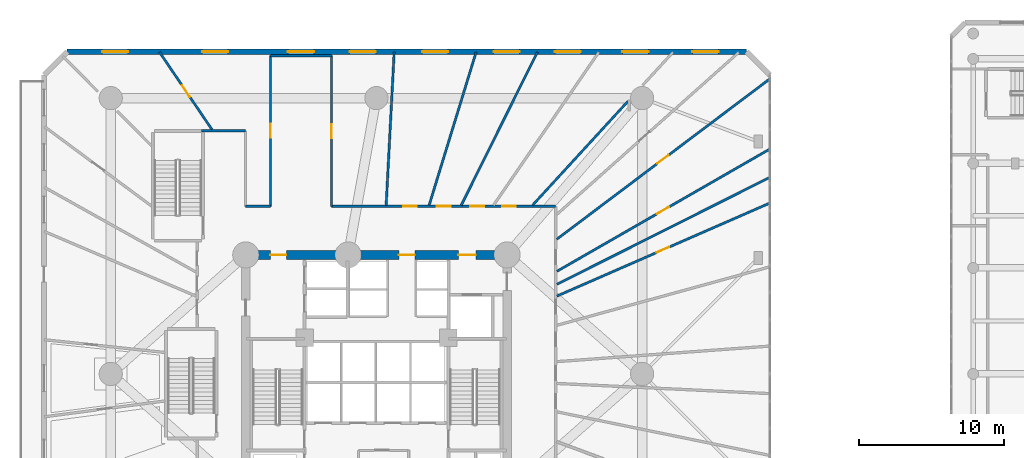
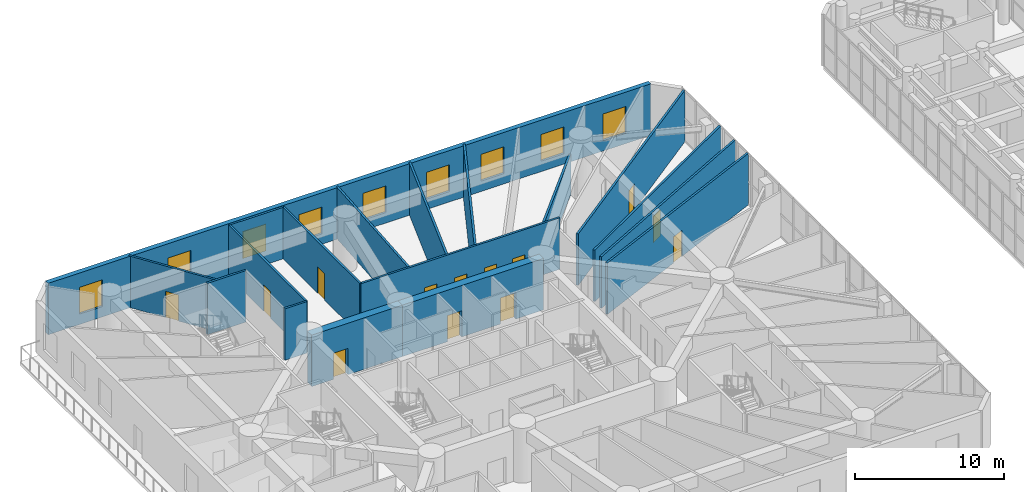
# One storey, part 16 of 24: 18 walls, 13 doors, 9 windows, 22 openings.
"""IFC4 building model written with IfcOpenShell, lengths in metres."""

import ifcopenshell
import ifcopenshell.guid

model = None  # the IFC model being written
_history = None  # IfcOwnerHistory: only IFC2X3 demands one
_inside = {}  # id of a spatial element -> (the spatial element, [elements in it])
_under = {}  # id of a project, library or spatial element -> (it, [spatial elements below it])
_declared = {}  # id of a project -> (the project, [libraries it declares])
_typed = {}  # id of a type object -> (the type object, [elements of that type])
_made_of = {}  # id of a material, layer set ... -> (it, [elements and type objects made of it])


def new_model(schema):
    """Start an empty IFC model of exactly this schema.

    Asked for "IFC4X3", IfcOpenShell would pick the latest addendum, in which some entities
    have other attributes; the version numbers below select the first issue.
    IFC2X3 requires an IfcOwnerHistory on every rooted entity: one is made here for all.
    """
    global model, _history
    if schema == "IFC4X3":
        model = ifcopenshell.file(schema_version=(4, 3, 0, 0))
    else:
        model = ifcopenshell.file(schema=schema)
    _inside.clear()
    _under.clear()
    _declared.clear()
    _typed.clear()
    _made_of.clear()
    _history = None
    if model.schema == "IFC2X3":
        org = make("IfcOrganization", Name="unknown")
        user = make(
            "IfcPersonAndOrganization",
            ThePerson=make("IfcPerson", FamilyName="unknown"),
            TheOrganization=org,
        )
        app = make(
            "IfcApplication",
            ApplicationDeveloper=org,
            Version="unknown",
            ApplicationFullName="unknown",
            ApplicationIdentifier="unknown",
        )
        _history = make(
            "IfcOwnerHistory",
            OwningUser=user,
            OwningApplication=app,
            ChangeAction="ADDED",
            CreationDate=0,
        )
    return model


def make(cls, **values):
    """One entity of the class cls with the attributes given. An attribute that is None is left unset."""
    return model.create_entity(
        cls, **{name: value for name, value in values.items() if value is not None}
    )


def rooted(cls, **values):
    """An entity with a GlobalId (a new one), such as an element, a storey or a relation."""
    return make(cls, GlobalId=ifcopenshell.guid.new(), OwnerHistory=_history, **values)


def si_unit(unit_type, name, prefix=None):
    """IfcSIUnit, for example si_unit("LENGTHUNIT", "METRE", prefix="MILLI")."""
    return make("IfcSIUnit", UnitType=unit_type, Prefix=prefix, Name=name)


def assignment(units):
    """IfcUnitAssignment: the units of a project."""
    return None if units is None else make("IfcUnitAssignment", Units=units)


def point(xyz):
    """IfcCartesianPoint."""
    return None if xyz is None else make("IfcCartesianPoint", Coordinates=xyz)


def direction(xyz):
    """IfcDirection."""
    return None if xyz is None else make("IfcDirection", DirectionRatios=xyz)


def frame(location, z_axis=None, x_axis=None):
    """IfcAxis2Placement3D, a coordinate frame: its origin and axes. An axis left out is left unset."""
    return make(
        "IfcAxis2Placement3D",
        Location=point(location),
        Axis=direction(z_axis),
        RefDirection=direction(x_axis),
    )


def frame_2d(location, x_axis=None):
    """IfcAxis2Placement2D, a coordinate frame in the plane: its origin and x axis."""
    return make(
        "IfcAxis2Placement2D", Location=point(location), RefDirection=direction(x_axis)
    )


def origin():
    """The frame at (0, 0, 0) with its axes left unset."""
    return frame((0.0, 0.0, 0.0))


def origin_with_axes():
    """The frame at (0, 0, 0) with the z axis (0, 0, 1) and the x axis (1, 0, 0) written out."""
    return frame((0.0, 0.0, 0.0), z_axis=(0.0, 0.0, 1.0), x_axis=(1.0, 0.0, 0.0))


def place(relative_to, where):
    """IfcLocalPlacement: puts the frame where relative to a parent placement (None: the world)."""
    return make(
        "IfcLocalPlacement", PlacementRelTo=relative_to, RelativePlacement=where
    )


def context(
    kind, dimensions, precision=None, world=None, true_north=None, identifier=None
):
    """IfcGeometricRepresentationContext, for example the 3D "Model" context."""
    return make(
        "IfcGeometricRepresentationContext",
        ContextIdentifier=identifier,
        ContextType=kind,
        CoordinateSpaceDimension=dimensions,
        Precision=precision,
        WorldCoordinateSystem=world,
        TrueNorth=true_north,
    )


def subcontext(parent, identifier, kind, view, scale=None):
    """IfcGeometricRepresentationSubContext, for example "Body" below "Model"."""
    return make(
        "IfcGeometricRepresentationSubContext",
        ContextIdentifier=identifier,
        ContextType=kind,
        ParentContext=parent,
        TargetScale=scale,
        TargetView=view,
    )


def project(units=None, contexts=None):
    """IfcProject with its units and contexts."""
    return rooted(
        "IfcProject",
        Name="project",
        RepresentationContexts=contexts,
        UnitsInContext=assignment(units),
    )


def spatial(cls, under=None, at=None, **own):
    """A site, building, storey or space (cls), placed at a placement, below another one or the project."""
    s = rooted(cls, ObjectPlacement=at, **own)
    if under is not None:
        _under.setdefault(under.id(), (under, []))[1].append(s)
    return s


def profile(cls, at=None, kind="AREA", **sizes):
    """A parametric profile (cls). Its sizes go by their IFC names, for example OverallWidth=200.0."""
    return make(cls, ProfileType=kind, Position=at, **sizes)


def rectangle(**sizes):
    """IfcRectangleProfileDef."""
    return profile("IfcRectangleProfileDef", **sizes)


def extrude(swept, where, along, depth):
    """IfcExtrudedAreaSolid: the profile swept, set in the frame where, extruded along a direction by depth."""
    return make(
        "IfcExtrudedAreaSolid",
        SweptArea=swept,
        Position=where,
        ExtrudedDirection=direction(along),
        Depth=depth,
    )


def shape(context_of_items, identifier, shape_type, items):
    """IfcShapeRepresentation: the items that make up one representation, for example the "Body"."""
    return make(
        "IfcShapeRepresentation",
        ContextOfItems=context_of_items,
        RepresentationIdentifier=identifier,
        RepresentationType=shape_type,
        Items=items,
    )


def source(mapping_origin, context_of_items, identifier, shape_type, items):
    """IfcRepresentationMap: a shape defined once, which mapped items show again and again."""
    return make(
        "IfcRepresentationMap",
        MappingOrigin=mapping_origin,
        MappedRepresentation=shape(context_of_items, identifier, shape_type, items),
    )


def transform(
    local_origin,
    x_axis=None,
    y_axis=None,
    z_axis=None,
    scale=None,
    scale2=None,
    scale3=None,
    uniform=True,
):
    """IfcCartesianTransformationOperator3D, or its non-uniform kind. x_axis, y_axis, z_axis: its Axis1, 2, 3."""
    if uniform:
        return make(
            "IfcCartesianTransformationOperator3D",
            Axis1=direction(x_axis),
            Axis2=direction(y_axis),
            LocalOrigin=point(local_origin),
            Scale=scale,
            Axis3=direction(z_axis),
        )
    return make(
        "IfcCartesianTransformationOperator3DnonUniform",
        Axis1=direction(x_axis),
        Axis2=direction(y_axis),
        LocalOrigin=point(local_origin),
        Scale=scale,
        Axis3=direction(z_axis),
        Scale2=scale2,
        Scale3=scale3,
    )


def mapped(mapping_source, mapping_target):
    """IfcMappedItem: shows the shape of a source again, moved by a transform."""
    return make(
        "IfcMappedItem", MappingSource=mapping_source, MappingTarget=mapping_target
    )


def material(Name=None, Category=None):
    """IfcMaterial."""
    return make("IfcMaterial", Name=Name, Category=Category)


def layer(
    of_material, thickness, ventilated=None, Name=None, Category=None, Priority=None
):
    """IfcMaterialLayer: one layer of a wall or slab, of a material (None: an air gap)."""
    return make(
        "IfcMaterialLayer",
        Material=of_material,
        LayerThickness=thickness,
        IsVentilated=ventilated,
        Name=Name,
        Category=Category,
        Priority=Priority,
    )


def layer_set(layers, Name=None):
    """IfcMaterialLayerSet."""
    return make("IfcMaterialLayerSet", MaterialLayers=layers, LayerSetName=Name)


def made_of(thing, what):
    """Note that an element or type object is made of a material, layer set ...; save() writes the relation."""
    if what is not None:
        _made_of.setdefault(what.id(), (what, []))[1].append(thing)
    return thing


def type_object(cls, material=None, **own):
    """A type object (cls), such as IfcWallType, which elements share."""
    return made_of(rooted(cls, **own), material)


def element(
    cls,
    number,
    at=None,
    inside=None,
    cuts=None,
    type_object=None,
    material=None,
    context=None,
    identifier="Body",
    shape_type=None,
    held_by="IfcProductDefinitionShape",
    body=None,
    shapes=None,
    **own,
):
    """One element of the class cls, such as IfcWall. Its Tag is "e" and its number.

    at: its placement. inside: the storey or other place that contains it. cuts: it is an
    opening in that element (IfcRelVoidsElement). A single representation is given by context,
    identifier, shape_type and body (its items); several are given by shapes. held_by: the class
    of the entity that holds the representations. save() writes the other relations.
    """
    e = rooted(cls, Tag="e%d" % number, ObjectPlacement=at, **own)
    if body is not None:
        shapes = [shape(context, identifier, shape_type, body)]
    if shapes is not None:
        e.Representation = make(held_by, Representations=shapes)
    if inside is not None:
        _inside.setdefault(inside.id(), (inside, []))[1].append(e)
    if cuts is not None:
        rooted(
            "IfcRelVoidsElement", RelatingBuildingElement=cuts, RelatedOpeningElement=e
        )
    if type_object is not None:
        _typed.setdefault(type_object.id(), (type_object, []))[1].append(e)
    return made_of(e, material)


def fill(opening, filler):
    """IfcRelFillsElement: the door or window that sits in an opening."""
    return rooted(
        "IfcRelFillsElement",
        RelatingOpeningElement=opening,
        RelatedBuildingElement=filler,
    )


def aggregate(whole, parts):
    """IfcRelAggregates: a whole, such as a stair, and the parts it consists of."""
    return rooted("IfcRelAggregates", RelatingObject=whole, RelatedObjects=parts)


def save(model, path):
    """Write the relations noted so far, then the file.

    IfcRelAggregates (storeys below a building ...), IfcRelContainedInSpatialStructure (elements
    in a storey), IfcRelDefinesByType, IfcRelAssociatesMaterial and IfcRelDeclares: one each for
    every whole, place, type object, material and project.
    """
    for whole, parts in _under.values():
        aggregate(whole, parts)
    for where, things in _inside.values():
        rooted(
            "IfcRelContainedInSpatialStructure",
            RelatedElements=things,
            RelatingStructure=where,
        )
    for kind, things in _typed.values():
        rooted("IfcRelDefinesByType", RelatedObjects=things, RelatingType=kind)
    for what, things in _made_of.values():
        rooted("IfcRelAssociatesMaterial", RelatedObjects=things, RelatingMaterial=what)
    for by, libraries in _declared.values():
        rooted("IfcRelDeclares", RelatingContext=by, RelatedDefinitions=libraries)
    model.write(path)


model = new_model("IFC4")

# Units and contexts
model_context = context("Model", 3, precision=1e-05, world=origin(), true_north=direction((0.0, 1.0)))
body_context = subcontext(model_context, "Body", "Model", "MODEL_VIEW")
ifc_project = project(units=[si_unit("LENGTHUNIT", "METRE"), si_unit("AREAUNIT", "SQUARE_METRE"), si_unit("VOLUMEUNIT", "CUBIC_METRE"), si_unit("PLANEANGLEUNIT", "RADIAN"), si_unit("MASSUNIT", "GRAM", prefix="KILO")], contexts=[model_context])

# Site, building, storey
site_placement = place(None, origin())
site = spatial("IfcSite", under=ifc_project, at=site_placement, CompositionType="ELEMENT")
building_placement = place(site_placement, origin())
building = spatial("IfcBuilding", under=site, at=building_placement, Name="Karkom Vertical University and Central Library", CompositionType="ELEMENT")
storey_placement = place(building_placement, frame((0.0, 0.0, 13.5)))
storey = spatial("IfcBuildingStorey", under=building, at=storey_placement, Name="L03", CompositionType="ELEMENT", Elevation=13.5)

# Wall, openings, windows
ifc_material_1 = material(Name="Brick masonry 360mm insulated cavity", Category="masonry")
ifc_layer_1 = layer(ifc_material_1, 0.360107421875)
ifc_layer_set_1 = layer_set([ifc_layer_1], Name="Brick masonry 360mm insulated cavity")
wall_type_1 = type_object("IfcWallType", Name="ENV-WL-BRK-360", PredefinedType="SOLIDWALL", material=ifc_layer_set_1)
wall_1_placement = place(storey_placement, frame((54.0, 48.699951171875, 0.0), z_axis=(0.0, 0.0, 1.0), x_axis=(-1.0, 0.0, 0.0)))
wall_1 = element("IfcWall", 1, at=wall_1_placement, inside=storey, type_object=wall_type_1, Name="Level 03 POD Terracotta Brick Facade Wall 05", PredefinedType="SOLIDWALL", context=body_context, shape_type="SweptSolid", body=[
    extrude(rectangle(XDim=46.800048828125, YDim=0.360107421875, at=frame_2d((23.39990234375, 0.0))), origin(), (0.0, 0.0, 1.0), 4.22509765625),
])
opening_1_placement = place(wall_1_placement, frame((1.935546875, 0.0, 0.85009765625)))
opening_1 = element("IfcOpeningElement", 2, at=opening_1_placement, cuts=wall_1, Name="Opening WN-01", PredefinedType="OPENING", context=body_context, shape_type="SweptSolid", body=[
    extrude(rectangle(XDim=1.800048828125, YDim=2.199951171875, at=frame_2d((0.89990234375, 1.10009765625))), frame((0.0, 0.18994140625, 0.0), z_axis=(0.0, -1.0, 0.0), x_axis=(1.0, 0.0, 0.0)), (0.0, 0.0, 1.0), 0.380126953125),
])
opening_2_placement = place(wall_1_placement, frame((6.7529296875, 0.0, 0.85009765625)))
opening_2 = element("IfcOpeningElement", 3, at=opening_2_placement, cuts=wall_1, Name="Opening WN-01", PredefinedType="OPENING", context=body_context, shape_type="SweptSolid", body=[
    extrude(rectangle(XDim=1.800048828125, YDim=2.199951171875, at=frame_2d((0.89990234375, 1.10009765625))), frame((0.0, 0.18994140625, 0.0), z_axis=(0.0, -1.0, 0.0), x_axis=(1.0, 0.0, 0.0)), (0.0, 0.0, 1.0), 0.380126953125),
])
opening_3_placement = place(wall_1_placement, frame((11.417724609375, 0.0, 0.85009765625)))
opening_3 = element("IfcOpeningElement", 4, at=opening_3_placement, cuts=wall_1, Name="Opening WN-01", PredefinedType="OPENING", context=body_context, shape_type="SweptSolid", body=[
    extrude(rectangle(XDim=1.800048828125, YDim=2.199951171875, at=frame_2d((0.89990234375, 1.10009765625))), frame((0.0, 0.18994140625, 0.0), z_axis=(0.0, -1.0, 0.0), x_axis=(1.0, 0.0, 0.0)), (0.0, 0.0, 1.0), 0.380126953125),
])
opening_4_placement = place(wall_1_placement, frame((15.63671875, 0.0, 0.85009765625)))
opening_4 = element("IfcOpeningElement", 5, at=opening_4_placement, cuts=wall_1, Name="Opening WN-01", PredefinedType="OPENING", context=body_context, shape_type="SweptSolid", body=[
    extrude(rectangle(XDim=1.800048828125, YDim=2.199951171875, at=frame_2d((0.89990234375, 1.10009765625))), frame((0.0, 0.18994140625, 0.0), z_axis=(0.0, -1.0, 0.0), x_axis=(1.0, 0.0, 0.0)), (0.0, 0.0, 1.0), 0.380126953125),
])
opening_5_placement = place(wall_1_placement, frame((20.561279296875, 0.0, 0.85009765625)))
opening_5 = element("IfcOpeningElement", 6, at=opening_5_placement, cuts=wall_1, Name="Opening WN-01", PredefinedType="OPENING", context=body_context, shape_type="SweptSolid", body=[
    extrude(rectangle(XDim=1.800048828125, YDim=2.199951171875, at=frame_2d((0.89990234375, 1.10009765625))), frame((0.0, 0.18994140625, 0.0), z_axis=(0.0, -1.0, 0.0), x_axis=(1.0, 0.0, 0.0)), (0.0, 0.0, 1.0), 0.380126953125),
])
opening_6_placement = place(wall_1_placement, frame((25.539794921875, 0.0, 0.85009765625)))
opening_6 = element("IfcOpeningElement", 7, at=opening_6_placement, cuts=wall_1, Name="Opening WN-01", PredefinedType="OPENING", context=body_context, shape_type="SweptSolid", body=[
    extrude(rectangle(XDim=1.800048828125, YDim=2.199951171875, at=frame_2d((0.89990234375, 1.10009765625))), frame((0.0, 0.18994140625, 0.0), z_axis=(0.0, -1.0, 0.0), x_axis=(1.0, 0.0, 0.0)), (0.0, 0.0, 1.0), 0.380126953125),
])
opening_7_placement = place(wall_1_placement, frame((29.800048828125, 0.0, 0.85009765625)))
opening_7 = element("IfcOpeningElement", 8, at=opening_7_placement, cuts=wall_1, Name="Opening WN-01", PredefinedType="OPENING", context=body_context, shape_type="SweptSolid", body=[
    extrude(rectangle(XDim=1.800048828125, YDim=2.199951171875, at=frame_2d((0.89990234375, 1.10009765625))), frame((0.0, 0.18994140625, 0.0), z_axis=(0.0, -1.0, 0.0), x_axis=(1.0, 0.0, 0.0)), (0.0, 0.0, 1.0), 0.380126953125),
])
opening_8_placement = place(wall_1_placement, frame((35.70947265625, 0.0, 0.85009765625)))
opening_8 = element("IfcOpeningElement", 9, at=opening_8_placement, cuts=wall_1, Name="Opening WN-01", PredefinedType="OPENING", context=body_context, shape_type="SweptSolid", body=[
    extrude(rectangle(XDim=1.800048828125, YDim=2.199951171875, at=frame_2d((0.89990234375, 1.10009765625))), frame((0.0, 0.18994140625, 0.0), z_axis=(0.0, -1.0, 0.0), x_axis=(1.0, 0.0, 0.0)), (0.0, 0.0, 1.0), 0.380126953125),
])
opening_9_placement = place(wall_1_placement, frame((42.594482421875, 0.0, 0.85009765625)))
opening_9 = element("IfcOpeningElement", 10, at=opening_9_placement, cuts=wall_1, Name="Opening WN-01", PredefinedType="OPENING", context=body_context, shape_type="SweptSolid", body=[
    extrude(rectangle(XDim=1.800048828125, YDim=2.199951171875, at=frame_2d((0.89990234375, 1.10009765625))), frame((0.0, 0.18994140625, 0.0), z_axis=(0.0, -1.0, 0.0), x_axis=(1.0, 0.0, 0.0)), (0.0, 0.0, 1.0), 0.380126953125),
])
ifc_material_2 = material(Name="Aluminium thermal-break frame with solar-control IGU", Category="aluminium")
window_type = type_object("IfcWindowType", Name="ENV-WIN-WN-01", PartitioningType="SINGLE_PANEL", PredefinedType="WINDOW", material=ifc_material_2)
shared_shape_1 = source(origin_with_axes(), body_context, "Body", "SweptSolid", [
    extrude(rectangle(XDim=1.800048828125, YDim=2.199951171875, at=frame_2d((0.89990234375, 1.10009765625))), frame((0.0, 0.030029296875, 0.0), z_axis=(0.0, -1.0, 0.0), x_axis=(1.0, 0.0, 0.0)), (0.0, 0.0, 1.0), 0.06005859375),
])
window_1_placement = place(opening_1_placement, origin())
window_1 = element("IfcWindow", 11, at=window_1_placement, inside=storey, type_object=window_type, Name="Level 03 POD Punched Window 01", OverallHeight=2.199951171875, OverallWidth=1.800048828125, PartitioningType="SINGLE_PANEL", PredefinedType="WINDOW", context=body_context, shape_type="MappedRepresentation", body=[
    mapped(shared_shape_1, transform((0.0, 0.0, 0.0), scale=1.0)),
])
fill(opening_1, window_1)
window_2_placement = place(opening_2_placement, origin())
window_2 = element("IfcWindow", 12, at=window_2_placement, inside=storey, type_object=window_type, Name="Level 03 POD Punched Window 02", OverallHeight=2.199951171875, OverallWidth=1.800048828125, PartitioningType="SINGLE_PANEL", PredefinedType="WINDOW", context=body_context, shape_type="MappedRepresentation", body=[
    mapped(shared_shape_1, transform((0.0, 0.0, 0.0), scale=1.0)),
])
fill(opening_2, window_2)
window_3_placement = place(opening_3_placement, origin())
window_3 = element("IfcWindow", 13, at=window_3_placement, inside=storey, type_object=window_type, Name="Level 03 POD Punched Window 03", OverallHeight=2.199951171875, OverallWidth=1.800048828125, PartitioningType="SINGLE_PANEL", PredefinedType="WINDOW", context=body_context, shape_type="MappedRepresentation", body=[
    mapped(shared_shape_1, transform((0.0, 0.0, 0.0), scale=1.0)),
])
fill(opening_3, window_3)
window_4_placement = place(opening_4_placement, origin())
window_4 = element("IfcWindow", 14, at=window_4_placement, inside=storey, type_object=window_type, Name="Level 03 POD Punched Window 04", OverallHeight=2.199951171875, OverallWidth=1.800048828125, PartitioningType="SINGLE_PANEL", PredefinedType="WINDOW", context=body_context, shape_type="MappedRepresentation", body=[
    mapped(shared_shape_1, transform((0.0, 0.0, 0.0), scale=1.0)),
])
fill(opening_4, window_4)
window_5_placement = place(opening_5_placement, origin())
window_5 = element("IfcWindow", 15, at=window_5_placement, inside=storey, type_object=window_type, Name="Level 03 POD Punched Window 05", OverallHeight=2.199951171875, OverallWidth=1.800048828125, PartitioningType="SINGLE_PANEL", PredefinedType="WINDOW", context=body_context, shape_type="MappedRepresentation", body=[
    mapped(shared_shape_1, transform((0.0, 0.0, 0.0), scale=1.0)),
])
fill(opening_5, window_5)
window_6_placement = place(opening_6_placement, origin())
window_6 = element("IfcWindow", 16, at=window_6_placement, inside=storey, type_object=window_type, Name="Level 03 POD Punched Window 06", OverallHeight=2.199951171875, OverallWidth=1.800048828125, PartitioningType="SINGLE_PANEL", PredefinedType="WINDOW", context=body_context, shape_type="MappedRepresentation", body=[
    mapped(shared_shape_1, transform((0.0, 0.0, 0.0), scale=1.0)),
])
fill(opening_6, window_6)
window_7_placement = place(opening_7_placement, origin())
window_7 = element("IfcWindow", 17, at=window_7_placement, inside=storey, type_object=window_type, Name="Level 03 POD Punched Window 07", OverallHeight=2.199951171875, OverallWidth=1.800048828125, PartitioningType="SINGLE_PANEL", PredefinedType="WINDOW", context=body_context, shape_type="MappedRepresentation", body=[
    mapped(shared_shape_1, transform((0.0, 0.0, 0.0), scale=1.0)),
])
fill(opening_7, window_7)
window_8_placement = place(opening_8_placement, origin())
window_8 = element("IfcWindow", 18, at=window_8_placement, inside=storey, type_object=window_type, Name="Level 03 POD Punched Window 08", OverallHeight=2.199951171875, OverallWidth=1.800048828125, PartitioningType="SINGLE_PANEL", PredefinedType="WINDOW", context=body_context, shape_type="MappedRepresentation", body=[
    mapped(shared_shape_1, transform((0.0, 0.0, 0.0), scale=1.0)),
])
fill(opening_8, window_8)
window_9_placement = place(opening_9_placement, origin())
window_9 = element("IfcWindow", 19, at=window_9_placement, inside=storey, type_object=window_type, Name="Level 03 POD Punched Window 09", OverallHeight=2.199951171875, OverallWidth=1.800048828125, PartitioningType="SINGLE_PANEL", PredefinedType="WINDOW", context=body_context, shape_type="MappedRepresentation", body=[
    mapped(shared_shape_1, transform((0.0, 0.0, 0.0), scale=1.0)),
])
fill(opening_9, window_9)

# Wall, opening, door
ifc_material_3 = material(Name="Insulated metal-stud drywall 160mm", Category="gypsum")
ifc_layer_2 = layer(ifc_material_3, 0.159912109375)
ifc_layer_set_2 = layer_set([ifc_layer_2], Name="Insulated metal-stud drywall 160mm")
wall_type_2 = type_object("IfcWallType", Name="INT-WL-COR-160", PredefinedType="PARTITIONING", material=ifc_layer_set_2)
wall_2_placement = place(storey_placement, frame((40.919921875, 35.7763671875, 0.0), z_axis=(0.0, 0.0, 1.0), x_axis=(0.798876492125, 0.601495095848, 0.0)))
wall_2 = element("IfcWall", 20, at=wall_2_placement, inside=storey, type_object=wall_type_2, Name="Level 03 Interior Partition Wall Level 03-PODW-26-27-1", PredefinedType="PARTITIONING", context=body_context, shape_type="SweptSolid", body=[
    extrude(rectangle(XDim=18.328369140625, YDim=0.159912109375, at=frame_2d((9.1640625, 0.0))), origin(), (0.0, 0.0, 1.0), 4.22509765625),
])
opening_10_placement = place(wall_2_placement, frame((8.6640625, 0.0, 0.0)))
opening_10 = element("IfcOpeningElement", 21, at=opening_10_placement, cuts=wall_2, Name="Opening FD-RM2", PredefinedType="OPENING", context=body_context, shape_type="SweptSolid", body=[
    extrude(rectangle(XDim=0.9599609375, YDim=2.14990234375, at=frame_2d((0.47998046875, 1.074951171875))), frame((0.0, 0.08984375, 0.0), z_axis=(0.0, -1.0, 0.0), x_axis=(1.0, 0.0, 0.0)), (0.0, 0.0, 1.0), 0.179931640625),
])
ifc_material_4 = material(Name="Fire-rated oak veneer door", Category="wood")
door_type_1 = type_object("IfcDoorType", Name="INT-DR-FRM2", OperationType="NOTDEFINED", PredefinedType="DOOR", material=ifc_material_4)
shared_shape_2 = source(origin_with_axes(), body_context, "Body", "SweptSolid", [
    extrude(rectangle(XDim=0.9599609375, YDim=2.14990234375, at=frame_2d((0.47998046875, 1.074951171875))), frame((0.0, 0.02490234375, 0.0), z_axis=(0.0, -1.0, 0.0), x_axis=(1.0, 0.0, 0.0)), (0.0, 0.0, 1.0), 0.050048828125),
])
door_1_placement = place(opening_10_placement, origin())
door_1 = element("IfcDoor", 22, at=door_1_placement, inside=storey, type_object=door_type_1, Name="Level 03 Room Entry Door 826", OperationType="SINGLE_SWING_LEFT", OverallHeight=2.14990234375, OverallWidth=0.9599609375, PredefinedType="DOOR", context=body_context, shape_type="MappedRepresentation", body=[
    mapped(shared_shape_2, transform((0.0, 0.0, 0.0), scale=1.0)),
])
fill(opening_10, door_1)

wall_3_placement = place(storey_placement, frame((40.931884765625, 33.57080078125, 0.0), z_axis=(0.0, 0.0, 1.0), x_axis=(0.867157652111, 0.498033740207, 0.0)))
wall_3 = element("IfcWall", 23, at=wall_3_placement, inside=storey, type_object=wall_type_2, Name="Level 03 Interior Partition Wall Level 03-PODW-25-26-1", PredefinedType="PARTITIONING", context=body_context, shape_type="SweptSolid", body=[
    extrude(rectangle(XDim=16.87646484375, YDim=0.159912109375, at=frame_2d((8.438232421875, 0.0))), origin(), (0.0, 0.0, 1.0), 4.22509765625),
])
opening_11_placement = place(wall_3_placement, frame((7.945556640625, 0.0, 0.0)))
opening_11 = element("IfcOpeningElement", 24, at=opening_11_placement, cuts=wall_3, Name="Opening FD-RM2", PredefinedType="OPENING", context=body_context, shape_type="SweptSolid", body=[
    extrude(rectangle(XDim=0.9599609375, YDim=2.14990234375, at=frame_2d((0.47998046875, 1.074951171875))), frame((0.0, 0.08984375, 0.0), z_axis=(0.0, -1.0, 0.0), x_axis=(1.0, 0.0, 0.0)), (0.0, 0.0, 1.0), 0.179931640625),
])
door_2_placement = place(opening_11_placement, origin())
door_2 = element("IfcDoor", 25, at=door_2_placement, inside=storey, type_object=door_type_1, Name="Level 03 Room Entry Door 825", OperationType="SINGLE_SWING_RIGHT", OverallHeight=2.14990234375, OverallWidth=0.9599609375, PredefinedType="DOOR", context=body_context, shape_type="MappedRepresentation", body=[
    mapped(shared_shape_2, transform((0.0, 0.0, 0.0), scale=1.0)),
])
fill(opening_11, door_2)

# Wall
wall_4_placement = place(storey_placement, frame((40.931884765625, 32.677490234375, 0.0), z_axis=(0.0, 0.0, 1.0), x_axis=(0.893608855562, 0.448846536425, 0.0)))
element("IfcWall", 26, at=wall_4_placement, inside=storey, type_object=wall_type_2, Name="Level 03 Interior Partition Wall Level 03-PODW-24-25-1", PredefinedType="PARTITIONING", context=body_context, shape_type="SweptSolid", body=[
    extrude(rectangle(XDim=16.37890625, YDim=0.159912109375, at=frame_2d((8.189453125, 0.0))), origin(), (0.0, 0.0, 1.0), 4.22509765625),
])

# Wall, opening, door
wall_5_placement = place(storey_placement, frame((40.918212890625, 31.859130859375, 0.0), z_axis=(0.0, 0.0, 1.0), x_axis=(0.91638288518, 0.400302895004, 0.0)))
wall_5 = element("IfcWall", 27, at=wall_5_placement, inside=storey, type_object=wall_type_2, Name="Level 03 Interior Partition Wall Level 03-PODW-23-24-1", PredefinedType="PARTITIONING", context=body_context, shape_type="SweptSolid", body=[
    extrude(rectangle(XDim=15.98828125, YDim=0.159912109375, at=frame_2d((7.994140625, 0.0))), origin(), (0.0, 0.0, 1.0), 4.22509765625),
])
opening_12_placement = place(wall_5_placement, frame((7.494140625, 0.0, 0.0)))
opening_12 = element("IfcOpeningElement", 28, at=opening_12_placement, cuts=wall_5, Name="Opening FD-RM2", PredefinedType="OPENING", context=body_context, shape_type="SweptSolid", body=[
    extrude(rectangle(XDim=0.9599609375, YDim=2.14990234375, at=frame_2d((0.47998046875, 1.074951171875))), frame((0.0, 0.08984375, 0.0), z_axis=(0.0, -1.0, 0.0), x_axis=(1.0, 0.0, 0.0)), (0.0, 0.0, 1.0), 0.179931640625),
])
door_3_placement = place(opening_12_placement, origin())
door_3 = element("IfcDoor", 29, at=door_3_placement, inside=storey, type_object=door_type_1, Name="Level 03 Room Entry Door 823", OperationType="SINGLE_SWING_RIGHT", OverallHeight=2.14990234375, OverallWidth=0.9599609375, PredefinedType="DOOR", context=body_context, shape_type="MappedRepresentation", body=[
    mapped(shared_shape_2, transform((0.0, 0.0, 0.0), scale=1.0)),
])
fill(opening_12, door_3)

# Wall, openings, doors
wall_6_placement = place(storey_placement, frame((25.39990234375, 38.050048828125, 0.0), z_axis=(0.0, 0.0, 1.0), x_axis=(1.0, 0.0, 0.0)))
wall_6 = element("IfcWall", 30, at=wall_6_placement, inside=storey, type_object=wall_type_2, Name="Level 03 Interior Partition Wall Level 03-PDCW-CW-008", PredefinedType="PARTITIONING", context=body_context, shape_type="SweptSolid", body=[
    extrude(rectangle(XDim=15.4501953125, YDim=0.159912109375, at=frame_2d((7.72509765625, 0.0))), origin(), (0.0, 0.0, 1.0), 4.22509765625),
])
opening_13_placement = place(wall_6_placement, frame((11.75244140625, 0.0, 0.0)))
opening_13 = element("IfcOpeningElement", 31, at=opening_13_placement, cuts=wall_6, Name="Opening FD-RM2", PredefinedType="OPENING", context=body_context, shape_type="SweptSolid", body=[
    extrude(rectangle(XDim=0.9599609375, YDim=2.14990234375, at=frame_2d((0.47998046875, 1.074951171875))), frame((0.0, 0.08984375, 0.0), z_axis=(0.0, -1.0, 0.0), x_axis=(1.0, 0.0, 0.0)), (0.0, 0.0, 1.0), 0.179931640625),
])
opening_14_placement = place(wall_6_placement, frame((9.5673828125, 0.0, 0.0)))
opening_14 = element("IfcOpeningElement", 32, at=opening_14_placement, cuts=wall_6, Name="Opening FD-RM2", PredefinedType="OPENING", context=body_context, shape_type="SweptSolid", body=[
    extrude(rectangle(XDim=0.9599609375, YDim=2.14990234375, at=frame_2d((0.47998046875, 1.074951171875))), frame((0.0, 0.08984375, 0.0), z_axis=(0.0, -1.0, 0.0), x_axis=(1.0, 0.0, 0.0)), (0.0, 0.0, 1.0), 0.179931640625),
])
opening_15_placement = place(wall_6_placement, frame((7.25, 0.0, 0.0)))
opening_15 = element("IfcOpeningElement", 33, at=opening_15_placement, cuts=wall_6, Name="Opening FD-RM2", PredefinedType="OPENING", context=body_context, shape_type="SweptSolid", body=[
    extrude(rectangle(XDim=0.9599609375, YDim=2.14990234375, at=frame_2d((0.47998046875, 1.074951171875))), frame((0.0, 0.08984375, 0.0), z_axis=(0.0, -1.0, 0.0), x_axis=(1.0, 0.0, 0.0)), (0.0, 0.0, 1.0), 0.179931640625),
])
opening_16_placement = place(wall_6_placement, frame((4.9326171875, 0.0, 0.0)))
opening_16 = element("IfcOpeningElement", 34, at=opening_16_placement, cuts=wall_6, Name="Opening FD-RM2", PredefinedType="OPENING", context=body_context, shape_type="SweptSolid", body=[
    extrude(rectangle(XDim=0.9599609375, YDim=2.14990234375, at=frame_2d((0.47998046875, 1.074951171875))), frame((0.0, 0.08984375, 0.0), z_axis=(0.0, -1.0, 0.0), x_axis=(1.0, 0.0, 0.0)), (0.0, 0.0, 1.0), 0.179931640625),
])
door_4_placement = place(opening_13_placement, origin())
door_4 = element("IfcDoor", 35, at=door_4_placement, inside=storey, type_object=door_type_1, Name="Level 03 Room Entry Door 828", OperationType="SINGLE_SWING_LEFT", OverallHeight=2.14990234375, OverallWidth=0.9599609375, PredefinedType="DOOR", context=body_context, shape_type="MappedRepresentation", body=[
    mapped(shared_shape_2, transform((0.0, 0.0, 0.0), scale=1.0)),
])
fill(opening_13, door_4)
door_5_placement = place(opening_14_placement, origin())
door_5 = element("IfcDoor", 36, at=door_5_placement, inside=storey, type_object=door_type_1, Name="Level 03 Room Entry Door 829", OperationType="SINGLE_SWING_RIGHT", OverallHeight=2.14990234375, OverallWidth=0.9599609375, PredefinedType="DOOR", context=body_context, shape_type="MappedRepresentation", body=[
    mapped(shared_shape_2, transform((0.0, 0.0, 0.0), scale=1.0)),
])
fill(opening_14, door_5)
door_6_placement = place(opening_15_placement, origin())
door_6 = element("IfcDoor", 37, at=door_6_placement, inside=storey, type_object=door_type_1, Name="Level 03 Room Entry Door 830", OperationType="SINGLE_SWING_LEFT", OverallHeight=2.14990234375, OverallWidth=0.9599609375, PredefinedType="DOOR", context=body_context, shape_type="MappedRepresentation", body=[
    mapped(shared_shape_2, transform((0.0, 0.0, 0.0), scale=1.0)),
])
fill(opening_15, door_6)
door_7_placement = place(opening_16_placement, origin())
door_7 = element("IfcDoor", 38, at=door_7_placement, inside=storey, type_object=door_type_1, Name="Level 03 Room Entry Door 831", OperationType="SINGLE_SWING_RIGHT", OverallHeight=2.14990234375, OverallWidth=0.9599609375, PredefinedType="DOOR", context=body_context, shape_type="MappedRepresentation", body=[
    mapped(shared_shape_2, transform((0.0, 0.0, 0.0), scale=1.0)),
])
fill(opening_16, door_7)

# Walls
wall_7_placement = place(storey_placement, frame((34.341552734375, 38.11865234375, 0.0), z_axis=(0.0, 0.0, 1.0), x_axis=(0.445081935211, 0.895489849718, 0.0)))
element("IfcWall", 39, at=wall_7_placement, inside=storey, type_object=wall_type_2, Name="Level 03 Interior Partition Wall Level 03-PODW-30-31-1", PredefinedType="PARTITIONING", context=body_context, shape_type="SweptSolid", body=[
    extrude(rectangle(XDim=11.78076171875, YDim=0.159912109375, at=frame_2d((5.890380859375, 0.0))), origin(), (0.0, 0.0, 1.0), 4.22509765625),
])
wall_8_placement = place(storey_placement, frame((32.1328125, 38.132080078125, 0.0), z_axis=(0.0, 0.0, 1.0), x_axis=(0.293383988776, 0.955994683631, 0.0)))
element("IfcWall", 40, at=wall_8_placement, inside=storey, type_object=wall_type_2, Name="Level 03 Interior Partition Wall Level 03-PODW-31-32-1", PredefinedType="PARTITIONING", context=body_context, shape_type="SweptSolid", body=[
    extrude(rectangle(XDim=11.025146484375, YDim=0.159912109375, at=frame_2d((5.5126953125, 0.0))), origin(), (0.0, 0.0, 1.0), 4.22509765625),
])
wall_9_placement = place(storey_placement, frame((29.1689453125, 38.116943359375, 0.0), z_axis=(0.0, 0.0, 1.0), x_axis=(0.052326127108, 0.998630049829, 0.0)))
element("IfcWall", 41, at=wall_9_placement, inside=storey, type_object=wall_type_2, Name="Level 03 Interior Partition Wall Level 03-PODW-32-33-1", PredefinedType="PARTITIONING", context=body_context, shape_type="SweptSolid", body=[
    extrude(rectangle(XDim=10.572509765625, YDim=0.159912109375, at=frame_2d((5.2861328125, 0.0))), origin(), (0.0, 0.0, 1.0), 4.22509765625),
])

# Wall, opening, door
wall_10_placement = place(storey_placement, frame((21.199951171875, 38.050048828125, 0.0), z_axis=(0.0, 0.0, 1.0), x_axis=(0.0, 1.0, 0.0)))
wall_10 = element("IfcWall", 42, at=wall_10_placement, inside=storey, type_object=wall_type_2, Name="Level 03 Interior Partition Wall Level 03-PDCW-CW-005", PredefinedType="PARTITIONING", context=body_context, shape_type="SweptSolid", body=[
    extrude(rectangle(XDim=10.369873046875, YDim=0.159912109375, at=frame_2d((5.18505859375, 0.0))), origin(), (0.0, 0.0, 1.0), 4.22509765625),
])
opening_17_placement = place(wall_10_placement, frame((4.7099609375, 0.0, 0.0)))
opening_17 = element("IfcOpeningElement", 43, at=opening_17_placement, cuts=wall_10, Name="Opening FD-RM2", PredefinedType="OPENING", context=body_context, shape_type="SweptSolid", body=[
    extrude(rectangle(XDim=0.9599609375, YDim=2.14990234375, at=frame_2d((0.47998046875, 1.074951171875))), frame((0.0, 0.08984375, 0.0), z_axis=(0.0, -1.0, 0.0), x_axis=(1.0, 0.0, 0.0)), (0.0, 0.0, 1.0), 0.179931640625),
])
door_8_placement = place(opening_17_placement, origin())
door_8 = element("IfcDoor", 44, at=door_8_placement, inside=storey, type_object=door_type_1, Name="Level 03 Room Entry Door 833", OperationType="SINGLE_SWING_RIGHT", OverallHeight=2.14990234375, OverallWidth=0.9599609375, PredefinedType="DOOR", context=body_context, shape_type="MappedRepresentation", body=[
    mapped(shared_shape_2, transform((0.0, 0.0, 0.0), scale=1.0)),
])
fill(opening_17, door_8)

wall_11_placement = place(storey_placement, frame((25.39990234375, 48.419921875, 0.0), z_axis=(0.0, 0.0, 1.0), x_axis=(0.0, -1.0, 0.0)))
wall_11 = element("IfcWall", 45, at=wall_11_placement, inside=storey, type_object=wall_type_2, Name="Level 03 Interior Partition Wall Level 03-PDCW-CW-007", PredefinedType="PARTITIONING", context=body_context, shape_type="SweptSolid", body=[
    extrude(rectangle(XDim=10.369873046875, YDim=0.159912109375, at=frame_2d((5.18505859375, 0.0))), origin(), (0.0, 0.0, 1.0), 4.22509765625),
])
opening_18_placement = place(wall_11_placement, frame((4.7099609375, 0.0, 0.0)))
opening_18 = element("IfcOpeningElement", 46, at=opening_18_placement, cuts=wall_11, Name="Opening FD-RM2", PredefinedType="OPENING", context=body_context, shape_type="SweptSolid", body=[
    extrude(rectangle(XDim=0.9599609375, YDim=2.14990234375, at=frame_2d((0.47998046875, 1.074951171875))), frame((0.0, 0.08984375, 0.0), z_axis=(0.0, -1.0, 0.0), x_axis=(1.0, 0.0, 0.0)), (0.0, 0.0, 1.0), 0.179931640625),
])
door_9_placement = place(opening_18_placement, origin())
door_9 = element("IfcDoor", 47, at=door_9_placement, inside=storey, type_object=door_type_1, Name="Level 03 Room Entry Door 832", OperationType="SINGLE_SWING_LEFT", OverallHeight=2.14990234375, OverallWidth=0.9599609375, PredefinedType="DOOR", context=body_context, shape_type="MappedRepresentation", body=[
    mapped(shared_shape_2, transform((0.0, 0.0, 0.0), scale=1.0)),
])
fill(opening_18, door_9)

# Wall
wall_12_placement = place(storey_placement, frame((39.24951171875, 38.120849609375, 0.0), z_axis=(0.0, 0.0, 1.0), x_axis=(0.676243830609, 0.736677868246, 0.0)))
element("IfcWall", 48, at=wall_12_placement, inside=storey, type_object=wall_type_2, Name="Level 03 Interior Partition Wall Level 03-PODW-28-29-3", PredefinedType="PARTITIONING", context=body_context, shape_type="SweptSolid", body=[
    extrude(rectangle(XDim=9.727783203125, YDim=0.159912109375, at=frame_2d((4.86376953125, 0.0))), origin(), (0.0, 0.0, 1.0), 3.27490234375),
])

# Wall, opening, door
wall_13_placement = place(storey_placement, frame((17.172607421875, 43.33203125, 0.0), z_axis=(0.0, 0.0, 1.0), x_axis=(-0.560765989322, 0.827974338503, 0.0)))
wall_13 = element("IfcWall", 49, at=wall_13_placement, inside=storey, type_object=wall_type_2, Name="Level 03 Interior Partition Wall Level 03-PODW-34-35-1", PredefinedType="PARTITIONING", context=body_context, shape_type="SweptSolid", body=[
    extrude(rectangle(XDim=6.439453125, YDim=0.159912109375, at=frame_2d((3.2197265625, 0.0))), origin(), (0.0, 0.0, 1.0), 4.22509765625),
])
opening_19_placement = place(wall_13_placement, frame((2.727294921875, 0.0, 0.0)))
opening_19 = element("IfcOpeningElement", 50, at=opening_19_placement, cuts=wall_13, Name="Opening FD-RM2", PredefinedType="OPENING", context=body_context, shape_type="SweptSolid", body=[
    extrude(rectangle(XDim=0.9599609375, YDim=2.14990234375, at=frame_2d((0.47998046875, 1.074951171875))), frame((0.0, 0.08984375, 0.0), z_axis=(0.0, -1.0, 0.0), x_axis=(1.0, 0.0, 0.0)), (0.0, 0.0, 1.0), 0.179931640625),
])
door_10_placement = place(opening_19_placement, origin())
door_10 = element("IfcDoor", 51, at=door_10_placement, inside=storey, type_object=door_type_1, Name="Level 03 Room Entry Door 834", OperationType="SINGLE_SWING_LEFT", OverallHeight=2.14990234375, OverallWidth=0.9599609375, PredefinedType="DOOR", context=body_context, shape_type="MappedRepresentation", body=[
    mapped(shared_shape_2, transform((0.0, 0.0, 0.0), scale=1.0)),
])
fill(opening_19, door_10)

# Walls
wall_14_placement = place(storey_placement, frame((21.199951171875, 48.419921875, 0.0), z_axis=(0.0, 0.0, 1.0), x_axis=(1.0, 0.0, 0.0)))
element("IfcWall", 52, at=wall_14_placement, inside=storey, type_object=wall_type_2, Name="Level 03 Interior Partition Wall Level 03-PDCW-CW-006", PredefinedType="PARTITIONING", context=body_context, shape_type="SweptSolid", body=[
    extrude(rectangle(XDim=4.199951171875, YDim=0.159912109375, at=frame_2d((2.10009765625, 0.0))), origin(), (0.0, 0.0, 1.0), 4.22509765625),
])
wall_15_placement = place(storey_placement, frame((16.465087890625, 43.25, 0.0), z_axis=(0.0, 0.0, 1.0), x_axis=(1.0, 0.0, 0.0)))
element("IfcWall", 53, at=wall_15_placement, inside=storey, type_object=wall_type_2, Name="Level 03 Interior Partition Wall Level 03-PDCW-CW-002", PredefinedType="PARTITIONING", context=body_context, shape_type="SweptSolid", body=[
    extrude(rectangle(XDim=3.014892578125, YDim=0.159912109375, at=frame_2d((1.50732421875, 0.0))), origin(), (0.0, 0.0, 1.0), 4.22509765625),
])
wall_16_placement = place(storey_placement, frame((19.47998046875, 38.050048828125, 0.0), z_axis=(0.0, 0.0, 1.0), x_axis=(1.0, 0.0, 0.0)))
element("IfcWall", 54, at=wall_16_placement, inside=storey, type_object=wall_type_2, Name="Level 03 Interior Partition Wall Level 03-PDCW-CW-004", PredefinedType="PARTITIONING", context=body_context, shape_type="SweptSolid", body=[
    extrude(rectangle(XDim=1.719970703125, YDim=0.159912109375, at=frame_2d((0.85986328125, 0.0))), origin(), (0.0, 0.0, 1.0), 4.22509765625),
])

# Wall, openings, doors
ifc_material_5 = material(Name="Concrete C50/60", Category="concrete")
ifc_layer_3 = layer(ifc_material_5, 0.60009765625)
ifc_layer_set_3 = layer_set([ifc_layer_3], Name="Concrete C50/60")
wall_type_3 = type_object("IfcWallType", Name="STR-WL-CW-600", PredefinedType="SHEAR", material=ifc_layer_set_3)
wall_17_placement = place(storey_placement, frame((37.5, 34.699951171875, 0.0), z_axis=(0.0, 0.0, 1.0), x_axis=(-1.0, 0.0, 0.0)))
wall_17 = element("IfcWall", 55, at=wall_17_placement, inside=storey, type_object=wall_type_3, Name="Level 03 Central Core Shear Wall NW1", PredefinedType="SHEAR", context=body_context, shape_type="SweptSolid", body=[
    extrude(rectangle(XDim=10.949951171875, YDim=0.60009765625, at=frame_2d((5.47509765625, 0.0))), origin(), (0.0, 0.0, 1.0), 4.22509765625),
])
opening_20_placement = place(wall_17_placement, frame((2.14990234375, 0.0, 0.0)))
opening_20 = element("IfcOpeningElement", 56, at=opening_20_placement, cuts=wall_17, Name="Opening FD-SUB1", PredefinedType="OPENING", context=body_context, shape_type="SweptSolid", body=[
    extrude(rectangle(XDim=1.199951171875, YDim=2.14990234375, at=frame_2d((0.60009765625, 1.074951171875))), frame((0.0, 0.31005859375, 0.0), z_axis=(0.0, -1.0, 0.0), x_axis=(1.0, 0.0, 0.0)), (0.0, 0.0, 1.0), 0.6201171875),
])
opening_21_placement = place(wall_17_placement, frame((6.35009765625, 0.0, 0.0)))
opening_21 = element("IfcOpeningElement", 57, at=opening_21_placement, cuts=wall_17, Name="Opening FD-FFL", PredefinedType="OPENING", context=body_context, shape_type="SweptSolid", body=[
    extrude(rectangle(XDim=1.10009765625, YDim=2.14990234375, at=frame_2d((0.550048828125, 1.074951171875))), frame((0.0, 0.31005859375, 0.0), z_axis=(0.0, -1.0, 0.0), x_axis=(1.0, 0.0, 0.0)), (0.0, 0.0, 1.0), 0.6201171875),
])
ifc_material_6 = material(Name="Painted steel smoke-seal fire door", Category="steel")
door_type_2 = type_object("IfcDoorType", Name="INT-DR-FFL", OperationType="NOTDEFINED", PredefinedType="DOOR", material=ifc_material_6)
shared_shape_3 = source(origin_with_axes(), body_context, "Body", "SweptSolid", [
    extrude(rectangle(XDim=1.10009765625, YDim=2.14990234375, at=frame_2d((0.550048828125, 1.074951171875))), frame((0.0, 0.02490234375, 0.0), z_axis=(0.0, -1.0, 0.0), x_axis=(1.0, 0.0, 0.0)), (0.0, 0.0, 1.0), 0.050048828125),
])
door_11_placement = place(opening_21_placement, origin())
door_11 = element("IfcDoor", 58, at=door_11_placement, inside=storey, type_object=door_type_2, Name="Level 03 North Core Lobby Exit Door", OperationType="SINGLE_SWING_LEFT", OverallHeight=2.14990234375, OverallWidth=1.10009765625, PredefinedType="DOOR", context=body_context, shape_type="MappedRepresentation", body=[
    mapped(shared_shape_3, transform((0.0, 0.0, 0.0), scale=1.0)),
])
fill(opening_21, door_11)
ifc_material_7 = material(Name="Painted steel fire door", Category="steel")
door_type_3 = type_object("IfcDoorType", Name="INT-DR-SUB1", OperationType="NOTDEFINED", PredefinedType="DOOR", material=ifc_material_7)
shared_shape_4 = source(origin_with_axes(), body_context, "Body", "SweptSolid", [
    extrude(rectangle(XDim=1.199951171875, YDim=2.14990234375, at=frame_2d((0.60009765625, 1.074951171875))), frame((0.0, 0.02490234375, 0.0), z_axis=(0.0, -1.0, 0.0), x_axis=(1.0, 0.0, 0.0)), (0.0, 0.0, 1.0), 0.050048828125),
])
door_12_placement = place(opening_20_placement, origin())
door_12 = element("IfcDoor", 59, at=door_12_placement, inside=storey, type_object=door_type_3, Name="Level 03 Service Lobby Fire Door", OperationType="SINGLE_SWING_LEFT", OverallHeight=2.14990234375, OverallWidth=1.199951171875, PredefinedType="DOOR", context=body_context, shape_type="MappedRepresentation", body=[
    mapped(shared_shape_4, transform((0.0, 0.0, 0.0), scale=1.0)),
])
fill(opening_20, door_12)

# Wall, opening, door
wall_18_placement = place(storey_placement, frame((26.550048828125, 34.699951171875, 0.0), z_axis=(0.0, 0.0, 1.0), x_axis=(-1.0, 0.0, 0.0)))
wall_18 = element("IfcWall", 60, at=wall_18_placement, inside=storey, type_object=wall_type_3, Name="Level 03 Central Core Shear Wall NW2", PredefinedType="SHEAR", context=body_context, shape_type="SweptSolid", body=[
    extrude(rectangle(XDim=7.050048828125, YDim=0.60009765625, at=frame_2d((3.52490234375, 0.0))), origin(), (0.0, 0.0, 1.0), 4.22509765625),
])
opening_22_placement = place(wall_18_placement, frame((4.25, 0.0, 0.0)))
opening_22 = element("IfcOpeningElement", 61, at=opening_22_placement, cuts=wall_18, Name="Opening FD-FFL", PredefinedType="OPENING", context=body_context, shape_type="SweptSolid", body=[
    extrude(rectangle(XDim=1.10009765625, YDim=2.14990234375, at=frame_2d((0.550048828125, 1.074951171875))), frame((0.0, 0.31005859375, 0.0), z_axis=(0.0, -1.0, 0.0), x_axis=(1.0, 0.0, 0.0)), (0.0, 0.0, 1.0), 0.6201171875),
])
door_13_placement = place(opening_22_placement, origin())
door_13 = element("IfcDoor", 62, at=door_13_placement, inside=storey, type_object=door_type_2, Name="Level 03 Firefighting Lobby Door", OperationType="SINGLE_SWING_RIGHT", OverallHeight=2.14990234375, OverallWidth=1.10009765625, PredefinedType="DOOR", context=body_context, shape_type="MappedRepresentation", body=[
    mapped(shared_shape_3, transform((0.0, 0.0, 0.0), scale=1.0)),
])
fill(opening_22, door_13)

save(model, "model.ifc")
